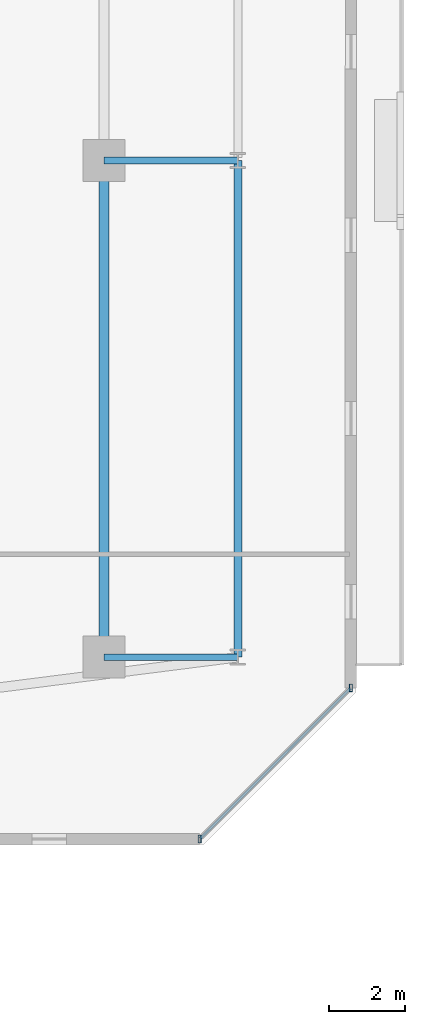
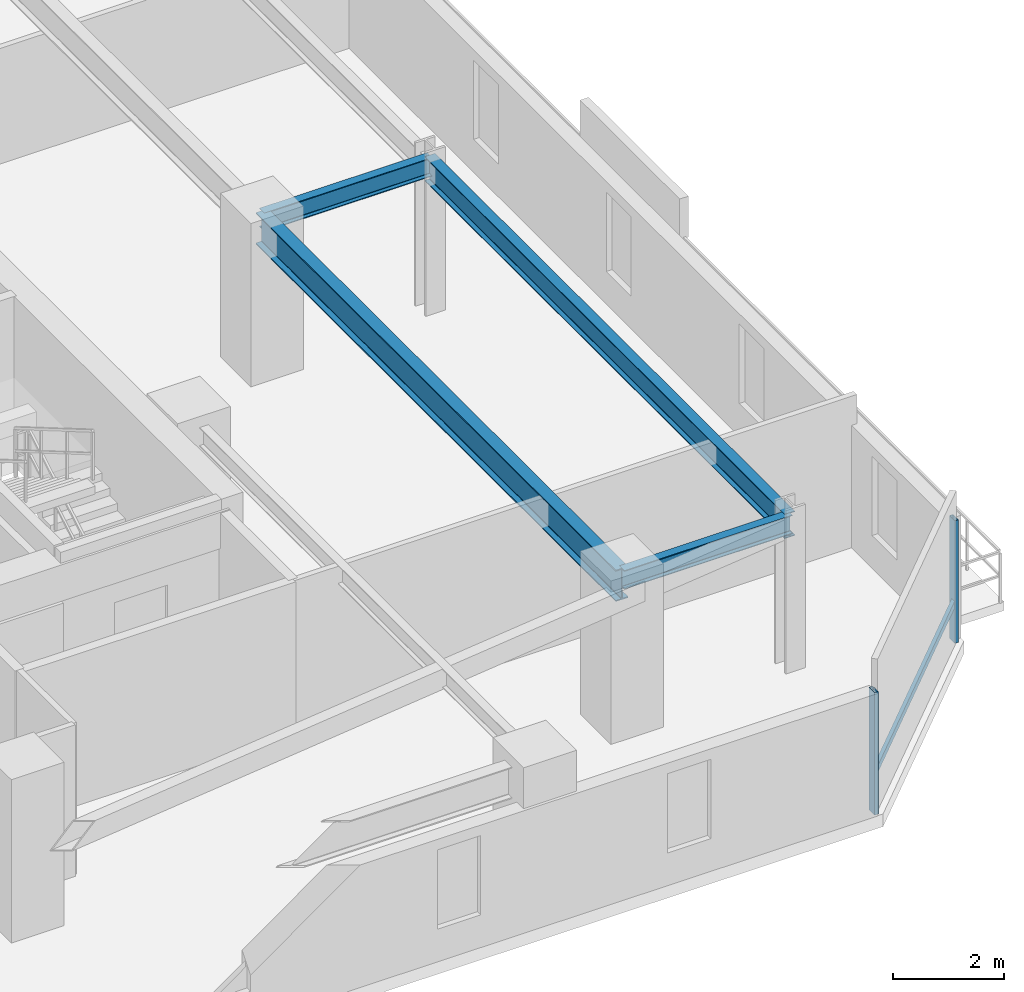
# One storey, part 14 of 32: 4 beams, 3 members, 1 element without a shape of its own.
"""IFC4 building model written with IfcOpenShell, lengths in metres."""

from ifc_helpers import new_model, si_unit, direction, frame, origin, origin_2d, place, context, subcontext, project, spatial, hollow_rectangle, i_section, extrude, material, material_profile, profile_set, type_object, element, aggregate, save


model = new_model("IFC4")

# Units and contexts
model_context = context("Model", 3, precision=1e-05, world=origin(), true_north=direction((0.0, 1.0)))
body_context = subcontext(model_context, "Body", "Model", "MODEL_VIEW")
ifc_project = project(units=[si_unit("LENGTHUNIT", "METRE"), si_unit("AREAUNIT", "SQUARE_METRE"), si_unit("VOLUMEUNIT", "CUBIC_METRE"), si_unit("PLANEANGLEUNIT", "RADIAN"), si_unit("MASSUNIT", "GRAM", prefix="KILO")], contexts=[model_context])

# Site, building, storey
site_placement = place(None, origin())
site = spatial("IfcSite", under=ifc_project, at=site_placement, CompositionType="ELEMENT")
building_placement = place(site_placement, origin())
building = spatial("IfcBuilding", under=site, at=building_placement, Name="Thornwick Lancets Civic Towers", CompositionType="ELEMENT")
storey_placement = place(building_placement, frame((0.0, 0.0, 152.699951171875)))
storey = spatial("IfcBuildingStorey", under=building, at=storey_placement, Name="L40", CompositionType="ELEMENT", Elevation=152.699951171875)

# Beams
ifc_material_1 = material(Name="Steel S355JR", Category="steel")
ifc_material_profile_1 = material_profile(ifc_material_1, i_section(OverallWidth=0.210693359375, OverallDepth=0.53955078125, WebThickness=0.01171875, FlangeThickness=0.018798828125, FilletRadius=0.0126953125, at=origin_2d()), Name="UKB 533x210x109")
ifc_profile_set_1 = profile_set([ifc_material_profile_1], Name="Steel S355JR")
beam_type_1 = type_object("IfcBeamType", Name="BM_EDGE_533_109", PredefinedType="SPANDREL", material=ifc_profile_set_1)
beam_1_placement = place(storey_placement, frame((109.300048828125, 14.0, 3.09033203125), z_axis=(0.0, 1.0, 0.0), x_axis=(-1.0, 0.0, 0.0)))
element("IfcBeam", 1, at=beam_1_placement, inside=storey, type_object=beam_type_1, Name="BM-EDGE-L40-B-S0-1", PredefinedType="SPANDREL", context=body_context, shape_type="SweptSolid", body=[
    extrude(i_section(OverallWidth=0.210693359375, OverallDepth=0.53955078125, WebThickness=0.01171875, FlangeThickness=0.018798828125, FilletRadius=0.0126953125, at=origin_2d()), origin(), (0.0, 0.0, 1.0), 13.0),
])
ifc_material_profile_2 = material_profile(ifc_material_1, i_section(OverallWidth=0.255859375, OverallDepth=0.69287109375, WebThickness=0.014404296875, FlangeThickness=0.023681640625, FilletRadius=0.01513671875, at=origin_2d()), Name="UKB 686x254x170")
ifc_profile_set_2 = profile_set([ifc_material_profile_2], Name="Steel S355JR")
beam_type_2 = type_object("IfcBeamType", Name="BM_GIRD_686_170", PredefinedType="BEAM", material=ifc_profile_set_2)
beam_2_placement = place(storey_placement, frame((105.800048828125, 14.0, 3.013427734375), z_axis=(0.0, 1.0, 0.0), x_axis=(-1.0, 0.0, 0.0)))
element("IfcBeam", 2, at=beam_2_placement, inside=storey, type_object=beam_type_2, Name="BM-SPINE-L40-B-0-1", PredefinedType="BEAM", context=body_context, shape_type="SweptSolid", body=[
    extrude(i_section(OverallWidth=0.255859375, OverallDepth=0.69287109375, WebThickness=0.014404296875, FlangeThickness=0.023681640625, FilletRadius=0.01513671875, at=origin_2d()), origin(), (0.0, 0.0, 1.0), 13.0),
])
ifc_material_profile_3 = material_profile(ifc_material_1, i_section(OverallWidth=0.179443359375, OverallDepth=0.412841796875, WebThickness=0.009521484375, FlangeThickness=0.01611328125, FilletRadius=0.01025390625, at=origin_2d()), Name="UKB 406x178x74")
ifc_profile_set_3 = profile_set([ifc_material_profile_3], Name="Steel S355JR")
beam_type_3 = type_object("IfcBeamType", Name="BM_JOIST_406_74", PredefinedType="JOIST", material=ifc_profile_set_3)
for number, where, z_axis, x_axis, name in (
    (3, (105.800048828125, 14.0, 3.153564453125), (1.0, 0.0, 0.0), (0.0, 1.0, 0.0), "BM-RAD-L40-B01"),
    (4, (105.800048828125, 27.0, 3.153564453125), (1.0, 0.0, 0.0), (0.0, 1.0, 0.0), "BM-RAD-L40-B02"),
):
    element("IfcBeam", number, at=place(storey_placement, frame(where, z_axis=z_axis, x_axis=x_axis)), inside=storey, type_object=beam_type_3, Name=name, PredefinedType="JOIST", context=body_context, shape_type="SweptSolid", body=[
        extrude(i_section(OverallWidth=0.179443359375, OverallDepth=0.412841796875, WebThickness=0.009521484375, FlangeThickness=0.01611328125, FilletRadius=0.01025390625, at=origin_2d()), origin(), (0.0, 0.0, 1.0), 3.5),
    ])

# Curtain wall, members
ifc_material_2 = material(Name="Mid-zone chamfered-corner unitised glass curtain wall", Category="glass")
curtain_wall_type = type_object("IfcCurtainWallType", Name="CW_SYS_04", PredefinedType="NOTDEFINED", material=ifc_material_2)
curtain_wall_placement = place(storey_placement, origin())
curtain_wall = element("IfcCurtainWall", 5, at=curtain_wall_placement, inside=storey, type_object=curtain_wall_type, Name="L40 Curtain Wall CW-L40-B-E1", PredefinedType="NOTDEFINED")
ifc_material_3 = material(Name="Thermally broken bronze aluminium S355", Category="steel")
ifc_material_profile_4 = material_profile(ifc_material_3, hollow_rectangle(XDim=0.080078125, YDim=0.199951171875, WallThickness=0.006103515625, at=origin_2d()), Name="RHS 200x80x6")
ifc_profile_set_4 = profile_set([ifc_material_profile_4], Name="Thermally broken bronze aluminium S355")
member_type_1 = type_object("IfcMemberType", Name="CW_MUL_200", PredefinedType="MULLION", material=ifc_profile_set_4)
member_1_placement = place(storey_placement, frame((108.3017578125, 9.239990234375, 0.0), z_axis=(0.0, 0.0, 1.0), x_axis=(1.0, 0.0, 0.0)))
member_1 = element("IfcMember", 6, at=member_1_placement, type_object=member_type_1, Name="CW-L40-B-E1 Mullion 0", PredefinedType="MULLION", context=body_context, shape_type="SweptSolid", body=[
    extrude(hollow_rectangle(XDim=0.080078125, YDim=0.199951171875, WallThickness=0.006103515625, at=origin_2d()), origin(), (0.0, 0.0, 1.0), 2.699951171875),
])
member_2_placement = place(storey_placement, frame((112.260009765625, 13.1982421875, 0.0), z_axis=(0.0, 0.0, 1.0), x_axis=(1.0, 0.0, 0.0)))
member_2 = element("IfcMember", 7, at=member_2_placement, type_object=member_type_1, Name="CW-L40-B-E1 Mullion 1", PredefinedType="MULLION", context=body_context, shape_type="SweptSolid", body=[
    extrude(hollow_rectangle(XDim=0.080078125, YDim=0.199951171875, WallThickness=0.006103515625, at=origin_2d()), origin(), (0.0, 0.0, 1.0), 2.699951171875),
])
ifc_material_profile_5 = material_profile(ifc_material_3, hollow_rectangle(XDim=0.074951171875, YDim=0.14990234375, WallThickness=0.0048828125, at=origin_2d()), Name="RHS 150x75x5")
ifc_profile_set_5 = profile_set([ifc_material_profile_5], Name="Thermally broken bronze aluminium S355")
member_type_2 = type_object("IfcMemberType", Name="CW_TRN_150", PredefinedType="USERDEFINED", material=ifc_profile_set_5)
member_3_placement = place(storey_placement, frame((108.31591796875, 9.25390625, 0.85009765625), z_axis=(0.707106781187, 0.707106781187, 0.0), x_axis=(-0.707106781187, 0.707106781187, 0.0)))
member_3 = element("IfcMember", 8, at=member_3_placement, type_object=member_type_2, Name="CW-L40-B-E1 Transom 0", ObjectType="TRANSOM", PredefinedType="USERDEFINED", context=body_context, shape_type="SweptSolid", body=[
    extrude(hollow_rectangle(XDim=0.074951171875, YDim=0.14990234375, WallThickness=0.0048828125, at=origin_2d()), origin(), (0.0, 0.0, 1.0), 5.55810546875),
])
aggregate(curtain_wall, [member_1, member_2, member_3])

save(model, "model.ifc")
